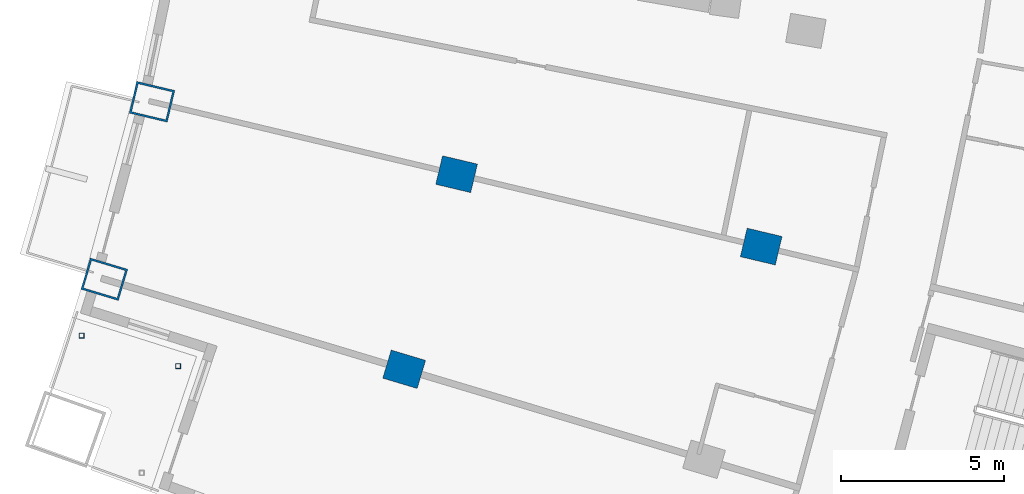
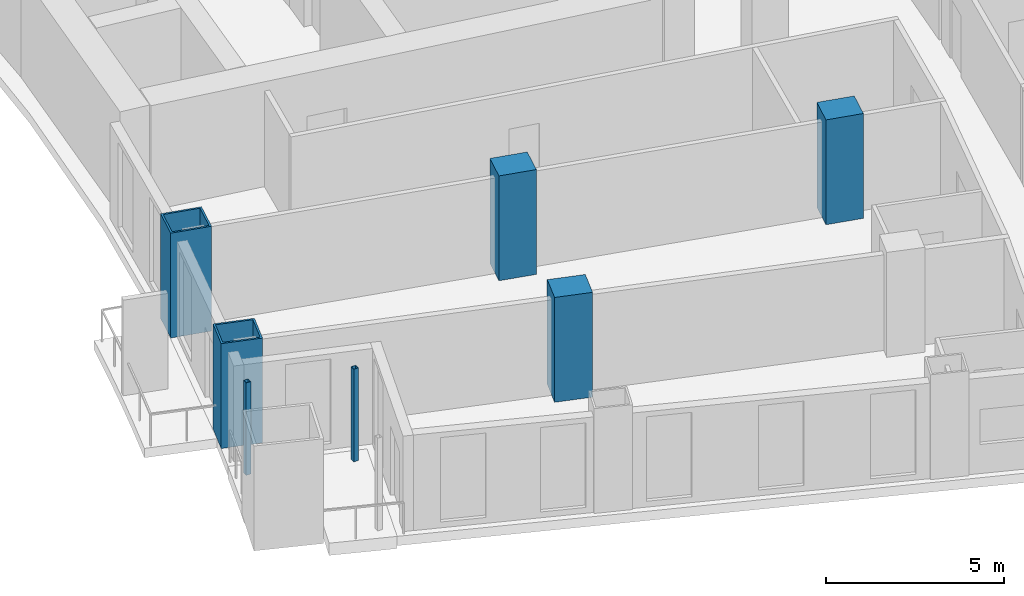
# One storey, part 3 of 25: 7 columns.
"""IFC4 building model written with IfcOpenShell, lengths in metres."""

from ifc_helpers import new_model, si_unit, direction, frame, origin, origin_2d, place, context, subcontext, project, spatial, rectangle, hollow_rectangle, extrude, material, material_profile, profile_set, type_object, element, save


model = new_model("IFC4")

# Units and contexts
model_context = context("Model", 3, precision=1e-05, world=origin(), true_north=direction((0.0, 1.0)))
body_context = subcontext(model_context, "Body", "Model", "MODEL_VIEW")
ifc_project = project(units=[si_unit("LENGTHUNIT", "METRE"), si_unit("AREAUNIT", "SQUARE_METRE"), si_unit("VOLUMEUNIT", "CUBIC_METRE"), si_unit("PLANEANGLEUNIT", "RADIAN"), si_unit("MASSUNIT", "GRAM", prefix="KILO")], contexts=[model_context])

# Site, building, storey
site_placement = place(None, origin())
site = spatial("IfcSite", under=ifc_project, at=site_placement, CompositionType="ELEMENT")
building_placement = place(site_placement, origin())
building = spatial("IfcBuilding", under=site, at=building_placement, Name="Alderwake Tower", CompositionType="ELEMENT")
storey_placement = place(building_placement, frame((0.0, 0.0, 35.60009765625)))
storey = spatial("IfcBuildingStorey", under=building, at=storey_placement, Name="L07", CompositionType="ELEMENT", Elevation=35.60009765625)

# Columns
ifc_material_1 = material(Name="Concrete C70/85", Category="concrete")
ifc_material_profile_1 = material_profile(ifc_material_1, rectangle(XDim=0.89990234375, YDim=1.10009765625, at=origin_2d()), Name="RC 1100X900")
ifc_profile_set_1 = profile_set([ifc_material_profile_1], Name="Concrete C70/85")
column_type_1 = type_object("IfcColumnType", Name="Interior column Z1", PredefinedType="COLUMN", material=ifc_profile_set_1)
for number, where, z_axis, x_axis, name in (
    (1, (21.714599609375, 30.46240234375, 0.0), (0.0, 0.0, 1.0), (0.287549418125, 0.957765802342, 0.0), "Column R02-C1"),
    (2, (23.322021484375, 36.444091796875, 0.0), (0.0, 0.0, 1.0), (0.231221547198, 0.972901123502, 0.0), "Column R03-C1"),
    (3, (32.661865234375, 34.224609375, 0.0), (0.0, 0.0, 1.0), (0.231221547198, 0.972901123502, 0.0), "Column R03-C2"),
):
    element("IfcColumn", number, at=place(storey_placement, frame(where, z_axis=z_axis, x_axis=x_axis)), inside=storey, type_object=column_type_1, Name=name, PredefinedType="COLUMN", context=body_context, shape_type="SweptSolid", body=[
        extrude(rectangle(XDim=0.89990234375, YDim=1.10009765625, at=origin_2d()), origin(), (0.0, 0.0, 1.0), 3.599853515625),
    ])
ifc_material_2 = material(Name="Steel ASTM A500 Grade C", Category="steel")
ifc_material_profile_2 = material_profile(ifc_material_2, hollow_rectangle(XDim=0.15234375, YDim=0.15234375, WallThickness=0.0087890625, at=origin_2d()), Name="HSS6X6X3/8")
ifc_profile_set_2 = profile_set([ifc_material_profile_2], Name="Steel ASTM A500 Grade C")
column_type_2 = type_object("IfcColumnType", Name="Light post HSS6X6X3/8", PredefinedType="COLUMN", material=ifc_profile_set_2)
for number, where, z_axis, x_axis, name in (
    (4, (11.82568359375, 31.492919921875, 0.0), (0.0, 0.0, 1.0), (1.0, 0.0, 0.0), "Terrace post RS1"),
    (5, (14.781494140625, 30.558349609375, 0.0), (0.0, 0.0, 1.0), (1.0, 0.0, 0.0), "Terrace post RS3"),
):
    element("IfcColumn", number, at=place(storey_placement, frame(where, z_axis=z_axis, x_axis=x_axis)), inside=storey, type_object=column_type_2, Name=name, PredefinedType="COLUMN", context=body_context, shape_type="SweptSolid", body=[
        extrude(hollow_rectangle(XDim=0.15234375, YDim=0.15234375, WallThickness=0.0087890625, at=origin_2d()), origin(), (0.0, 0.0, 1.0), 3.179931640625),
    ])
ifc_material_3 = material(Name="Steel ASTM A572 Grade 50 concrete filled C70/85", Category="concrete")
ifc_material_profile_3 = material_profile(ifc_material_3, hollow_rectangle(XDim=1.0, YDim=1.199951171875, WallThickness=0.06005859375, at=origin_2d()), Name="BOX 1200X1000X60")
ifc_profile_set_3 = profile_set([ifc_material_profile_3], Name="Steel ASTM A572 Grade 50 concrete filled C70/85")
column_type_3 = type_object("IfcColumnType", Name="Perimeter column Z1", PredefinedType="COLUMN", material=ifc_profile_set_3)
for number, where, z_axis, x_axis, name in (
    (6, (12.520263671875, 33.222900390625, 0.0), (0.0, 0.0, 1.0), (0.287549418125, 0.957765802342, 0.0), "Column R02-C0"),
    (7, (13.982177734375, 38.6640625, 0.0), (0.0, 0.0, 1.0), (0.231221547198, 0.972901123502, 0.0), "Column R03-C0"),
):
    element("IfcColumn", number, at=place(storey_placement, frame(where, z_axis=z_axis, x_axis=x_axis)), inside=storey, type_object=column_type_3, Name=name, PredefinedType="COLUMN", context=body_context, shape_type="SweptSolid", body=[
        extrude(hollow_rectangle(XDim=1.0, YDim=1.199951171875, WallThickness=0.06005859375, at=origin_2d()), origin(), (0.0, 0.0, 1.0), 3.599853515625),
    ])

save(model, "model.ifc")
